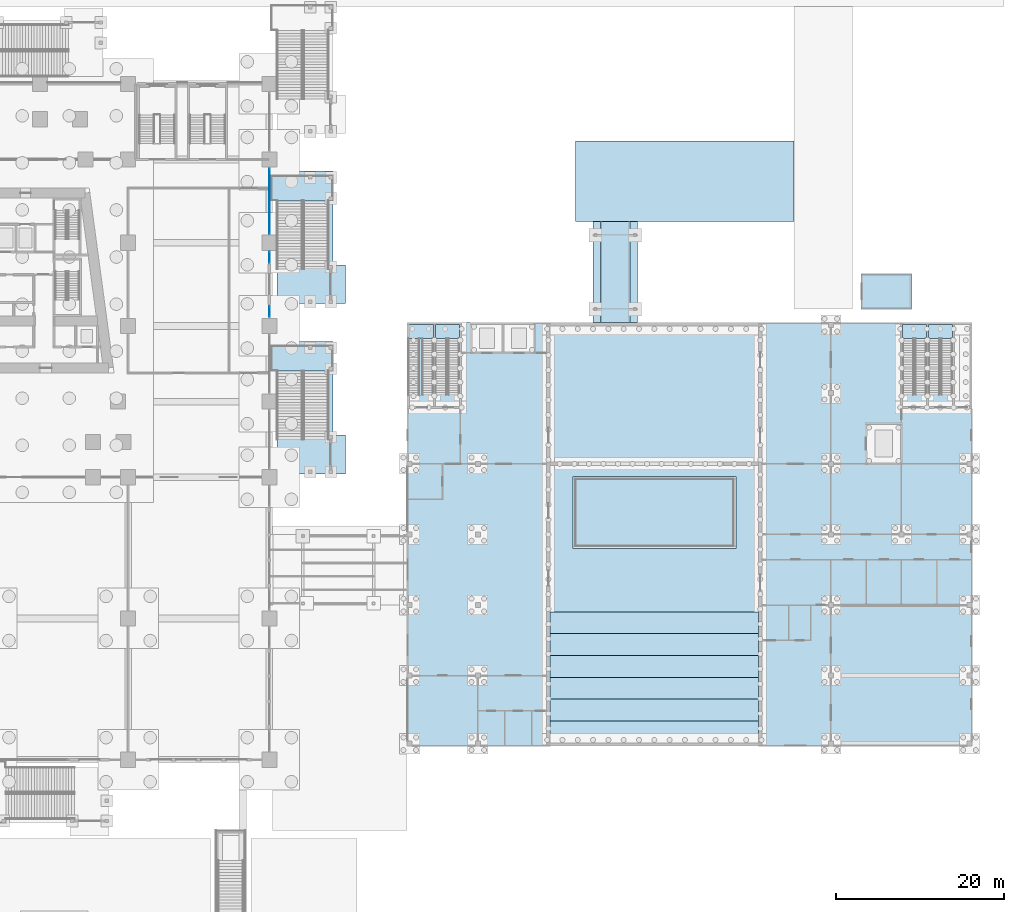
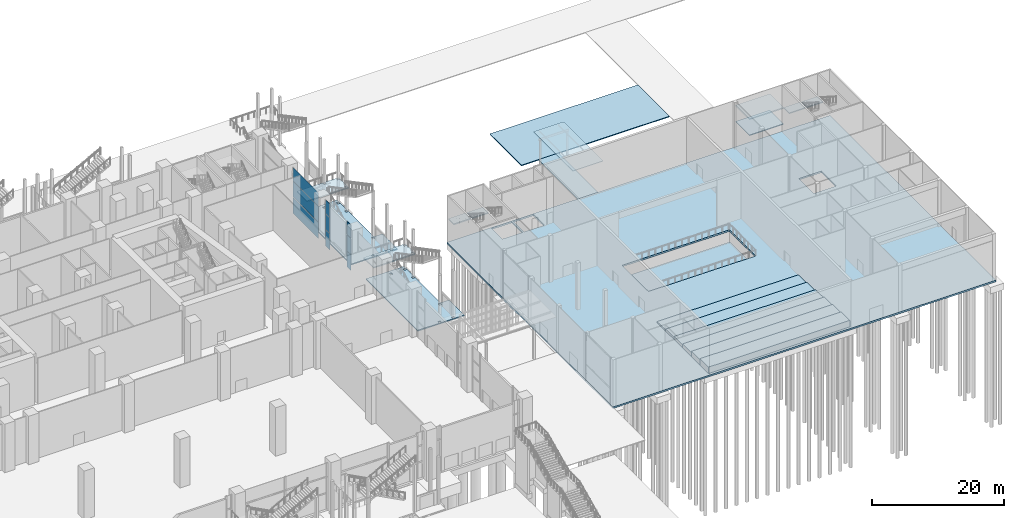
# One storey, part 37 of 72: 21 slabs, 9 plates, 9 elements without a shape of their own.
"""IFC4 building model written with IfcOpenShell, lengths in metres."""

from ifc_helpers import new_model, si_unit, direction, frame, origin, origin_2d, place, context, subcontext, project, spatial, polyline, rectangle, outline, extrude, material, layer, layer_set, type_object, element, aggregate, save


model = new_model("IFC4")

# Units and contexts
model_context = context("Model", 3, precision=1e-05, world=origin(), true_north=direction((0.0, 1.0)))
body_context = subcontext(model_context, "Body", "Model", "MODEL_VIEW")
ifc_project = project(units=[si_unit("LENGTHUNIT", "METRE"), si_unit("AREAUNIT", "SQUARE_METRE"), si_unit("VOLUMEUNIT", "CUBIC_METRE"), si_unit("PLANEANGLEUNIT", "RADIAN"), si_unit("MASSUNIT", "GRAM", prefix="KILO")], contexts=[model_context])

# Site, building, storey
site_placement = place(None, origin())
site = spatial("IfcSite", under=ifc_project, at=site_placement, CompositionType="ELEMENT")
building_placement = place(site_placement, origin())
building = spatial("IfcBuilding", under=site, at=building_placement, Name="Candeia Pilgrim Tower and Theatre", CompositionType="ELEMENT")
storey_placement = place(building_placement, origin())
storey = spatial("IfcBuildingStorey", under=building, at=storey_placement, Name="L00", CompositionType="ELEMENT", Elevation=0.0)

# Slab
ifc_material_1 = material(Name="Laminated glass roof, steel frame S355", Category="steel")
ifc_layer_1 = layer(ifc_material_1, 0.10009765625)
ifc_layer_set_1 = layer_set([ifc_layer_1], Name="Arcade roof plate 100")
slab_type_1 = type_object("IfcSlabType", Name="Arcade roof plate 100", PredefinedType="ROOF", material=ifc_layer_set_1)
slab_1_placement = place(storey_placement, frame((0.0, 0.0, 5.39990234375)))
element("IfcSlab", 1, at=slab_1_placement, inside=storey, type_object=slab_type_1, Name="Loading bay canopy roof", PredefinedType="ROOF", context=body_context, shape_type="SweptSolid", body=[
    extrude(outline(polyline([(198.10009765625, 116.39990234375), (203.39990234375, 116.39990234375), (203.39990234375, 128.39990234375), (198.10009765625, 128.39990234375), (198.10009765625, 116.39990234375)])), origin(), (0.0, 0.0, 1.0), 0.10009765625),
])

# Curtain wall, plates
ifc_material_2 = material(Name="Aluminium framed podium glazing", Category="aluminium")
curtain_wall_type = type_object("IfcCurtainWallType", Name="CW-P curtain wall", PredefinedType="NOTDEFINED", material=ifc_material_2)
curtain_wall_1_placement = place(storey_placement, origin())
curtain_wall_1 = element("IfcCurtainWall", 2, at=curtain_wall_1_placement, inside=storey, type_object=curtain_wall_type, Name="Curtain wall CW-P L00.210", PredefinedType="NOTDEFINED")
ifc_material_3 = material(Name="Laminated low-iron glass 2 x 8 mm", Category="glass")
ifc_layer_2 = layer(ifc_material_3, 0.035888671875)
ifc_layer_set_2 = layer_set([ifc_layer_2], Name="CW-P glass panel 36")
plate_type = type_object("IfcPlateType", Name="CW-P glass panel 36", PredefinedType="CURTAIN_PANEL", material=ifc_layer_set_2)
plate_1_placement = place(storey_placement, frame((159.60009765625, 130.85009765625, 0.0), z_axis=(0.0, 0.0, 1.0), x_axis=(0.0, -1.0, 0.0)))
plate_1 = element("IfcPlate", 3, at=plate_1_placement, type_object=plate_type, Name="CW-P panel 1.1", PredefinedType="CURTAIN_PANEL", context=body_context, shape_type="SweptSolid", body=[
    extrude(rectangle(XDim=7.719970703125, YDim=0.035888671875, at=origin_2d()), origin(), (0.0, 0.0, 1.0), 2.9599609375),
])
plate_2_placement = place(storey_placement, frame((159.60009765625, 130.85009765625, 3.0400390625), z_axis=(0.0, 0.0, 1.0), x_axis=(0.0, -1.0, 0.0)))
plate_2 = element("IfcPlate", 4, at=plate_2_placement, type_object=plate_type, Name="CW-P panel 1.2", PredefinedType="CURTAIN_PANEL", context=body_context, shape_type="SweptSolid", body=[
    extrude(rectangle(XDim=7.719970703125, YDim=0.035888671875, at=origin_2d()), origin(), (0.0, 0.0, 1.0), 2.919921875),
])
plate_3_placement = place(storey_placement, frame((159.60009765625, 130.85009765625, 6.0400390625), z_axis=(0.0, 0.0, 1.0), x_axis=(0.0, -1.0, 0.0)))
plate_3 = element("IfcPlate", 5, at=plate_3_placement, type_object=plate_type, Name="CW-P panel 1.3", PredefinedType="CURTAIN_PANEL", context=body_context, shape_type="SweptSolid", body=[
    extrude(rectangle(XDim=7.719970703125, YDim=0.035888671875, at=origin_2d()), origin(), (0.0, 0.0, 1.0), 2.4599609375),
])
aggregate(curtain_wall_1, [plate_1, plate_2, plate_3])

curtain_wall_2_placement = place(storey_placement, origin())
curtain_wall_2 = element("IfcCurtainWall", 6, at=curtain_wall_2_placement, inside=storey, type_object=curtain_wall_type, Name="Curtain wall CW-P L00.220", PredefinedType="NOTDEFINED")
plate_4_placement = place(storey_placement, frame((159.60009765625, 124.175048828125, 0.0), z_axis=(0.0, 0.0, 1.0), x_axis=(0.0, -1.0, 0.0)))
plate_4 = element("IfcPlate", 7, at=plate_4_placement, type_object=plate_type, Name="CW-P panel 1.1", PredefinedType="CURTAIN_PANEL", context=body_context, shape_type="SweptSolid", body=[
    extrude(rectangle(XDim=1.27001953125, YDim=0.035888671875, at=origin_2d()), origin(), (0.0, 0.0, 1.0), 2.9599609375),
])
plate_5_placement = place(storey_placement, frame((159.60009765625, 124.175048828125, 3.0400390625), z_axis=(0.0, 0.0, 1.0), x_axis=(0.0, -1.0, 0.0)))
plate_5 = element("IfcPlate", 8, at=plate_5_placement, type_object=plate_type, Name="CW-P panel 1.2", PredefinedType="CURTAIN_PANEL", context=body_context, shape_type="SweptSolid", body=[
    extrude(rectangle(XDim=1.27001953125, YDim=0.035888671875, at=origin_2d()), origin(), (0.0, 0.0, 1.0), 2.919921875),
])
plate_6_placement = place(storey_placement, frame((159.60009765625, 124.175048828125, 6.0400390625), z_axis=(0.0, 0.0, 1.0), x_axis=(0.0, -1.0, 0.0)))
plate_6 = element("IfcPlate", 9, at=plate_6_placement, type_object=plate_type, Name="CW-P panel 1.3", PredefinedType="CURTAIN_PANEL", context=body_context, shape_type="SweptSolid", body=[
    extrude(rectangle(XDim=1.27001953125, YDim=0.035888671875, at=origin_2d()), origin(), (0.0, 0.0, 1.0), 2.4599609375),
])
aggregate(curtain_wall_2, [plate_4, plate_5, plate_6])

curtain_wall_3_placement = place(storey_placement, origin())
curtain_wall_3 = element("IfcCurtainWall", 10, at=curtain_wall_3_placement, inside=storey, type_object=curtain_wall_type, Name="Curtain wall CW-P L00.221", PredefinedType="NOTDEFINED")
plate_7_placement = place(storey_placement, frame((159.60009765625, 117.72509765625, 0.0), z_axis=(0.0, 0.0, 1.0), x_axis=(0.0, -1.0, 0.0)))
plate_7 = element("IfcPlate", 11, at=plate_7_placement, type_object=plate_type, Name="CW-P panel 1.1", PredefinedType="CURTAIN_PANEL", context=body_context, shape_type="SweptSolid", body=[
    extrude(rectangle(XDim=1.27001953125, YDim=0.035888671875, at=origin_2d()), origin(), (0.0, 0.0, 1.0), 2.9599609375),
])
plate_8_placement = place(storey_placement, frame((159.60009765625, 117.72509765625, 3.0400390625), z_axis=(0.0, 0.0, 1.0), x_axis=(0.0, -1.0, 0.0)))
plate_8 = element("IfcPlate", 12, at=plate_8_placement, type_object=plate_type, Name="CW-P panel 1.2", PredefinedType="CURTAIN_PANEL", context=body_context, shape_type="SweptSolid", body=[
    extrude(rectangle(XDim=1.27001953125, YDim=0.035888671875, at=origin_2d()), origin(), (0.0, 0.0, 1.0), 2.919921875),
])
plate_9_placement = place(storey_placement, frame((159.60009765625, 117.72509765625, 6.0400390625), z_axis=(0.0, 0.0, 1.0), x_axis=(0.0, -1.0, 0.0)))
plate_9 = element("IfcPlate", 13, at=plate_9_placement, type_object=plate_type, Name="CW-P panel 1.3", PredefinedType="CURTAIN_PANEL", context=body_context, shape_type="SweptSolid", body=[
    extrude(rectangle(XDim=1.27001953125, YDim=0.035888671875, at=origin_2d()), origin(), (0.0, 0.0, 1.0), 2.4599609375),
])
aggregate(curtain_wall_3, [plate_7, plate_8, plate_9])

# Slab
ifc_material_4 = material(Name="Concrete C35/45", Category="concrete")
ifc_layer_3 = layer(ifc_material_4, 0.14990234375)
ifc_layer_set_3 = layer_set([ifc_layer_3], Name="Paving slab 150")
slab_type_2 = type_object("IfcSlabType", Name="Paving slab 150", PredefinedType="BASESLAB", material=ifc_layer_set_3)
slab_2_placement = place(storey_placement, frame((0.0, 0.0, -0.14990234375)))
element("IfcSlab", 14, at=slab_2_placement, inside=storey, type_object=slab_type_2, Name="Refuse store floor", PredefinedType="BASESLAB", context=body_context, shape_type="SweptSolid", body=[
    extrude(outline(polyline([(230.0, 118.0), (236.0, 118.0), (236.0, 122.199951171875), (230.0, 122.199951171875), (230.0, 118.0)])), origin(), (0.0, 0.0, 1.0), 0.14990234375),
])

# Stair, slab
ifc_material_5 = material(Name="Concrete C40/50", Category="concrete")
stair_type_1 = type_object("IfcStairType", Name="ST-EXT external escape stair", PredefinedType="HALF_TURN_STAIR", material=ifc_material_5)
stair_1_placement = place(storey_placement, origin())
stair_1 = element("IfcStair", 15, at=stair_1_placement, inside=storey, type_object=stair_type_1, Name="L00 External escape stair ES1", PredefinedType="HALF_TURN_STAIR")
ifc_layer_4 = layer(ifc_material_5, 0.199951171875)
ifc_layer_set_4 = layer_set([ifc_layer_4], Name="SL-EXT stair landing")
slab_type_3 = type_object("IfcSlabType", Name="SL-EXT stair landing", PredefinedType="LANDING", material=ifc_layer_set_4)
slab_3_placement = place(storey_placement, frame((0.0, 0.0, 4.300048828125)))
slab_3 = element("IfcSlab", 16, at=slab_3_placement, type_object=slab_type_3, Name="L00 External escape stair ES1 landing", PredefinedType="LANDING", context=body_context, shape_type="SweptSolid", body=[
    extrude(outline(polyline([(159.800048828125, 110.639892578125), (159.800048828125, 113.659912109375), (167.14990234375, 113.659912109375), (167.14990234375, 110.639892578125), (159.800048828125, 110.639892578125)]), holes=[polyline([(166.699951171875, 110.7099609375), (167.10009765625, 110.7099609375), (167.10009765625, 111.110107421875), (166.699951171875, 111.110107421875), (166.699951171875, 110.7099609375)]), polyline([(166.699951171875, 113.2099609375), (167.10009765625, 113.2099609375), (167.10009765625, 113.610107421875), (166.699951171875, 113.610107421875), (166.699951171875, 113.2099609375)]), polyline([(164.27490234375, 113.2099609375), (164.675048828125, 113.2099609375), (164.675048828125, 113.610107421875), (164.27490234375, 113.610107421875), (164.27490234375, 113.2099609375)])]), origin(), (0.0, 0.0, 1.0), 0.199951171875),
])
aggregate(stair_1, [slab_3])

stair_2_placement = place(storey_placement, origin())
stair_2 = element("IfcStair", 17, at=stair_2_placement, inside=storey, type_object=stair_type_1, Name="L00 External escape stair ES14", PredefinedType="HALF_TURN_STAIR")
slab_4_placement = place(storey_placement, frame((0.0, 0.0, 4.300048828125)))
slab_4 = element("IfcSlab", 18, at=slab_4_placement, type_object=slab_type_3, Name="L00 External escape stair ES14 landing", PredefinedType="LANDING", context=body_context, shape_type="SweptSolid", body=[
    extrude(outline(polyline([(159.800048828125, 130.889892578125), (159.800048828125, 133.909912109375), (167.14990234375, 133.909912109375), (167.14990234375, 130.889892578125), (159.800048828125, 130.889892578125)]), holes=[polyline([(166.699951171875, 130.9599609375), (167.10009765625, 130.9599609375), (167.10009765625, 131.360107421875), (166.699951171875, 131.360107421875), (166.699951171875, 130.9599609375)]), polyline([(166.699951171875, 133.4599609375), (167.10009765625, 133.4599609375), (167.10009765625, 133.860107421875), (166.699951171875, 133.860107421875), (166.699951171875, 133.4599609375)]), polyline([(164.27490234375, 133.4599609375), (164.675048828125, 133.4599609375), (164.675048828125, 133.860107421875), (164.27490234375, 133.860107421875), (164.27490234375, 133.4599609375)])]), origin(), (0.0, 0.0, 1.0), 0.199951171875),
])
aggregate(stair_2, [slab_4])

# Slabs
ifc_layer_5 = layer(ifc_material_4, 0.14990234375)
ifc_layer_set_5 = layer_set([ifc_layer_5], Name="Site paving slab 150")
slab_type_4 = type_object("IfcSlabType", Name="Site paving slab 150", PredefinedType="USERDEFINED", material=ifc_layer_set_5)
slab_5_placement = place(storey_placement, frame((0.0, 0.0, -0.14990234375)))
element("IfcSlab", 19, at=slab_5_placement, inside=storey, type_object=slab_type_4, Name="PAVING stage door yard", ObjectType="PAVING", PredefinedType="USERDEFINED", context=body_context, shape_type="SweptSolid", body=[
    extrude(outline(polyline([(222.0, 128.39990234375), (222.0, 138.0), (196.0, 138.0), (196.0, 128.39990234375), (222.0, 128.39990234375)])), origin(), (0.0, 0.0, 1.0), 0.14990234375),
])
slab_6_placement = place(storey_placement, frame((0.0, 0.0, -0.14990234375)))
element("IfcSlab", 20, at=slab_6_placement, inside=storey, type_object=slab_type_4, Name="PAVING loading bay", ObjectType="PAVING", PredefinedType="USERDEFINED", context=body_context, shape_type="SweptSolid", body=[
    extrude(outline(polyline([(202.5, 116.39990234375), (202.5, 128.39990234375), (199.0, 128.39990234375), (199.0, 116.39990234375), (202.5, 116.39990234375)])), origin(), (0.0, 0.0, 1.0), 0.14990234375),
])
ifc_layer_6 = layer(ifc_material_4, 0.199951171875)
ifc_layer_set_6 = layer_set([ifc_layer_6], Name="Stair ground slab 200")
slab_type_5 = type_object("IfcSlabType", Name="Stair ground slab 200", PredefinedType="BASESLAB", material=ifc_layer_set_6)
slab_7_placement = place(storey_placement, frame((0.0, 0.0, -0.199951171875)))
element("IfcSlab", 21, at=slab_7_placement, inside=storey, type_object=slab_type_5, Name="External escape stair ES1 ground slab", PredefinedType="BASESLAB", context=body_context, shape_type="SweptSolid", body=[
    extrude(outline(polyline([(160.5, 114.159912109375), (167.14990234375, 114.159912109375), (167.14990234375, 103.0), (168.64990234375, 103.0), (168.64990234375, 98.39990234375), (160.5, 98.39990234375), (160.5, 102.5), (160.5, 103.0), (160.5, 114.159912109375)]), holes=[polyline([(164.675048828125, 98.449951171875), (164.675048828125, 98.85009765625), (164.27490234375, 98.85009765625), (164.27490234375, 98.449951171875), (164.675048828125, 98.449951171875)]), polyline([(166.699951171875, 98.449951171875), (167.10009765625, 98.449951171875), (167.10009765625, 98.85009765625), (166.699951171875, 98.85009765625), (166.699951171875, 98.449951171875)]), polyline([(166.699951171875, 102.550048828125), (167.10009765625, 102.550048828125), (167.10009765625, 102.949951171875), (166.699951171875, 102.949951171875), (166.699951171875, 102.550048828125)]), polyline([(167.10009765625, 110.7099609375), (167.10009765625, 111.110107421875), (166.699951171875, 111.110107421875), (166.699951171875, 110.7099609375), (167.10009765625, 110.7099609375)]), polyline([(164.27490234375, 113.2099609375), (164.675048828125, 113.2099609375), (164.675048828125, 113.610107421875), (164.27490234375, 113.610107421875), (164.27490234375, 113.2099609375)]), polyline([(166.699951171875, 113.2099609375), (167.10009765625, 113.2099609375), (167.10009765625, 113.610107421875), (166.699951171875, 113.610107421875), (166.699951171875, 113.2099609375)])]), origin(), (0.0, 0.0, 1.0), 0.199951171875),
])
slab_8_placement = place(storey_placement, frame((0.0, 0.0, -0.199951171875)))
element("IfcSlab", 22, at=slab_8_placement, inside=storey, type_object=slab_type_5, Name="External escape stair ES14 ground slab", PredefinedType="BASESLAB", context=body_context, shape_type="SweptSolid", body=[
    extrude(outline(polyline([(160.5, 134.409912109375), (167.14990234375, 134.409912109375), (167.14990234375, 123.25), (168.64990234375, 123.25), (168.64990234375, 118.64990234375), (160.5, 118.64990234375), (160.5, 122.75), (160.5, 123.25), (160.5, 134.409912109375)]), holes=[polyline([(164.675048828125, 118.699951171875), (164.675048828125, 119.10009765625), (164.27490234375, 119.10009765625), (164.27490234375, 118.699951171875), (164.675048828125, 118.699951171875)]), polyline([(166.699951171875, 118.699951171875), (167.10009765625, 118.699951171875), (167.10009765625, 119.10009765625), (166.699951171875, 119.10009765625), (166.699951171875, 118.699951171875)]), polyline([(166.699951171875, 122.800048828125), (167.10009765625, 122.800048828125), (167.10009765625, 123.199951171875), (166.699951171875, 123.199951171875), (166.699951171875, 122.800048828125)]), polyline([(167.10009765625, 130.9599609375), (167.10009765625, 131.360107421875), (166.699951171875, 131.360107421875), (166.699951171875, 130.9599609375), (167.10009765625, 130.9599609375)]), polyline([(164.27490234375, 133.4599609375), (164.675048828125, 133.4599609375), (164.675048828125, 133.860107421875), (164.27490234375, 133.860107421875), (164.27490234375, 133.4599609375)]), polyline([(166.699951171875, 133.4599609375), (167.10009765625, 133.4599609375), (167.10009765625, 133.860107421875), (166.699951171875, 133.860107421875), (166.699951171875, 133.4599609375)])]), origin(), (0.0, 0.0, 1.0), 0.199951171875),
])

# Stair, slab
stair_type_2 = type_object("IfcStairType", Name="Theatre stair", PredefinedType="HALF_TURN_STAIR", material=ifc_material_4)
stair_3_placement = place(storey_placement, origin())
stair_3 = element("IfcStair", 23, at=stair_3_placement, inside=storey, type_object=stair_type_2, Name="L00 Theatre stair S1", PredefinedType="HALF_TURN_STAIR")
ifc_layer_7 = layer(ifc_material_4, 0.199951171875)
ifc_layer_set_7 = layer_set([ifc_layer_7], Name="Stair landing 200")
slab_type_6 = type_object("IfcSlabType", Name="Stair landing 200", PredefinedType="LANDING", material=ifc_layer_set_7)
slab_9_placement = place(storey_placement, frame((0.0, 0.0, 4.300048828125)))
slab_9 = element("IfcSlab", 24, at=slab_9_placement, type_object=slab_type_6, Name="TS1 landing 1", PredefinedType="LANDING", context=body_context, shape_type="SweptSolid", body=[
    extrude(outline(polyline([(179.10009765625, 114.4951171875), (179.10009765625, 116.14990234375), (176.125, 116.14990234375), (176.125, 114.4951171875), (179.10009765625, 114.4951171875)])), origin(), (0.0, 0.0, 1.0), 0.199951171875),
])
aggregate(stair_3, [slab_9])

stair_4_placement = place(storey_placement, origin())
stair_4 = element("IfcStair", 25, at=stair_4_placement, inside=storey, type_object=stair_type_2, Name="L00 Theatre stair S2", PredefinedType="HALF_TURN_STAIR")
slab_10_placement = place(storey_placement, frame((0.0, 0.0, 4.300048828125)))
slab_10 = element("IfcSlab", 26, at=slab_10_placement, type_object=slab_type_6, Name="TS2 landing 1", PredefinedType="LANDING", context=body_context, shape_type="SweptSolid", body=[
    extrude(outline(polyline([(182.199951171875, 114.4951171875), (182.199951171875, 116.14990234375), (179.35009765625, 116.14990234375), (179.35009765625, 114.4951171875), (182.199951171875, 114.4951171875)])), origin(), (0.0, 0.0, 1.0), 0.199951171875),
])
aggregate(stair_4, [slab_10])

stair_5_placement = place(storey_placement, origin())
stair_5 = element("IfcStair", 27, at=stair_5_placement, inside=storey, type_object=stair_type_2, Name="L00 Theatre stair S3", PredefinedType="HALF_TURN_STAIR")
slab_11_placement = place(storey_placement, frame((0.0, 0.0, 4.300048828125)))
slab_11 = element("IfcSlab", 28, at=slab_11_placement, type_object=slab_type_6, Name="TS3 landing 1", PredefinedType="LANDING", context=body_context, shape_type="SweptSolid", body=[
    extrude(outline(polyline([(237.77490234375, 114.4951171875), (237.77490234375, 116.14990234375), (234.925048828125, 116.14990234375), (234.925048828125, 114.4951171875), (237.77490234375, 114.4951171875)])), origin(), (0.0, 0.0, 1.0), 0.199951171875),
])
aggregate(stair_5, [slab_11])

stair_6_placement = place(storey_placement, origin())
stair_6 = element("IfcStair", 29, at=stair_6_placement, inside=storey, type_object=stair_type_2, Name="L00 Theatre stair S4", PredefinedType="HALF_TURN_STAIR")
slab_12_placement = place(storey_placement, frame((0.0, 0.0, 4.300048828125)))
slab_12 = element("IfcSlab", 30, at=slab_12_placement, type_object=slab_type_6, Name="TS4 landing 1", PredefinedType="LANDING", context=body_context, shape_type="SweptSolid", body=[
    extrude(outline(polyline([(240.875, 114.4951171875), (240.875, 116.14990234375), (238.02490234375, 116.14990234375), (238.02490234375, 114.4951171875), (240.875, 114.4951171875)])), origin(), (0.0, 0.0, 1.0), 0.199951171875),
])
aggregate(stair_6, [slab_12])

# Slabs
slab_type_7 = type_object("IfcSlabType", Name="Stalls platform", PredefinedType="FLOOR", material=ifc_material_4)
slab_13_placement = place(storey_placement, origin())
element("IfcSlab", 31, at=slab_13_placement, inside=storey, type_object=slab_type_7, Name="Stalls tier 1", PredefinedType="FLOOR", context=body_context, shape_type="SweptSolid", body=[
    extrude(outline(polyline([(193.0, 79.39990234375), (217.800048828125, 79.39990234375), (217.800048828125, 82.0), (193.0, 82.0), (193.0, 79.39990234375)])), origin(), (0.0, 0.0, 1.0), 0.199951171875),
])
slab_14_placement = place(storey_placement, origin())
element("IfcSlab", 32, at=slab_14_placement, inside=storey, type_object=slab_type_7, Name="Stalls tier 2", PredefinedType="FLOOR", context=body_context, shape_type="SweptSolid", body=[
    extrude(outline(polyline([(193.0, 76.800048828125), (217.800048828125, 76.800048828125), (217.800048828125, 79.39990234375), (193.0, 79.39990234375), (193.0, 76.800048828125)])), origin(), (0.0, 0.0, 1.0), 0.39990234375),
])
slab_15_placement = place(storey_placement, origin())
element("IfcSlab", 33, at=slab_15_placement, inside=storey, type_object=slab_type_7, Name="Stalls tier 3", PredefinedType="FLOOR", context=body_context, shape_type="SweptSolid", body=[
    extrude(outline(polyline([(193.0, 74.199951171875), (217.800048828125, 74.199951171875), (217.800048828125, 76.800048828125), (193.0, 76.800048828125), (193.0, 74.199951171875)])), origin(), (0.0, 0.0, 1.0), 0.60009765625),
])
slab_16_placement = place(storey_placement, origin())
element("IfcSlab", 34, at=slab_16_placement, inside=storey, type_object=slab_type_7, Name="Stalls tier 4", PredefinedType="FLOOR", context=body_context, shape_type="SweptSolid", body=[
    extrude(outline(polyline([(193.0, 71.60009765625), (217.800048828125, 71.60009765625), (217.800048828125, 74.199951171875), (193.0, 74.199951171875), (193.0, 71.60009765625)])), origin(), (0.0, 0.0, 1.0), 0.800048828125),
])
slab_17_placement = place(storey_placement, origin())
element("IfcSlab", 35, at=slab_17_placement, inside=storey, type_object=slab_type_7, Name="Stalls tier 5", PredefinedType="FLOOR", context=body_context, shape_type="SweptSolid", body=[
    extrude(outline(polyline([(193.0, 69.0), (217.800048828125, 69.0), (217.800048828125, 71.60009765625), (193.0, 71.60009765625), (193.0, 69.0)])), origin(), (0.0, 0.0, 1.0), 1.0),
])
slab_18_placement = place(storey_placement, origin())
element("IfcSlab", 36, at=slab_18_placement, inside=storey, type_object=slab_type_7, Name="Stalls tier 6", PredefinedType="FLOOR", context=body_context, shape_type="SweptSolid", body=[
    extrude(outline(polyline([(193.0, 66.39990234375), (217.800048828125, 66.39990234375), (217.800048828125, 69.0), (193.0, 69.0), (193.0, 66.39990234375)])), origin(), (0.0, 0.0, 1.0), 1.199951171875),
])
ifc_layer_8 = layer(ifc_material_4, 0.199951171875)
ifc_layer_set_8 = layer_set([ifc_layer_8], Name="Store roof slab 200")
slab_type_8 = type_object("IfcSlabType", Name="Store roof slab 200", PredefinedType="ROOF", material=ifc_layer_set_8)
slab_19_placement = place(storey_placement, frame((0.0, 0.0, 2.800048828125)))
element("IfcSlab", 37, at=slab_19_placement, inside=storey, type_object=slab_type_8, Name="Refuse store roof", PredefinedType="ROOF", context=body_context, shape_type="SweptSolid", body=[
    extrude(outline(polyline([(230.0, 118.0), (236.0, 118.0), (236.0, 122.199951171875), (230.0, 122.199951171875), (230.0, 118.0)])), origin(), (0.0, 0.0, 1.0), 0.199951171875),
])
ifc_layer_9 = layer(ifc_material_4, 0.300048828125)
ifc_layer_set_9 = layer_set([ifc_layer_9], Name="Theatre ground slab 300")
slab_type_9 = type_object("IfcSlabType", Name="Theatre ground slab 300", PredefinedType="BASESLAB", material=ifc_layer_set_9)
slab_20_placement = place(storey_placement, frame((0.0, 0.0, -0.300048828125)))
element("IfcSlab", 38, at=slab_20_placement, inside=storey, type_object=slab_type_9, Name="T-L00-G1", PredefinedType="BASESLAB", context=body_context, shape_type="SweptSolid", body=[
    extrude(outline(polyline([(243.199951171875, 66.0), (176.0, 66.0), (176.0, 116.39990234375), (243.199951171875, 116.39990234375), (243.199951171875, 66.0)]), holes=[polyline([(214.800048828125, 89.800048828125), (214.800048828125, 97.800048828125), (196.0, 97.800048828125), (196.0, 89.800048828125), (214.800048828125, 89.800048828125)]), polyline([(183.72509765625, 112.925048828125), (187.27490234375, 112.925048828125), (187.27490234375, 116.27490234375), (183.72509765625, 116.27490234375), (183.72509765625, 112.925048828125)]), polyline([(187.52490234375, 116.27490234375), (187.52490234375, 112.925048828125), (191.074951171875, 112.925048828125), (191.074951171875, 116.27490234375), (187.52490234375, 116.27490234375)]), polyline([(234.675048828125, 104.27490234375), (230.72509765625, 104.27490234375), (230.72509765625, 99.72509765625), (234.675048828125, 99.72509765625), (234.675048828125, 104.27490234375)])]), origin(), (0.0, 0.0, 1.0), 0.300048828125),
])
slab_21_placement = place(storey_placement, frame((0.0, 0.0, -2.800048828125)))
element("IfcSlab", 39, at=slab_21_placement, inside=storey, type_object=slab_type_9, Name="Orchestra pit floor", PredefinedType="BASESLAB", context=body_context, shape_type="SweptSolid", body=[
    extrude(outline(polyline([(195.699951171875, 89.5), (215.10009765625, 89.5), (215.10009765625, 98.10009765625), (195.699951171875, 98.10009765625), (195.699951171875, 89.5)])), origin(), (0.0, 0.0, 1.0), 0.300048828125),
])

save(model, "model.ifc")
